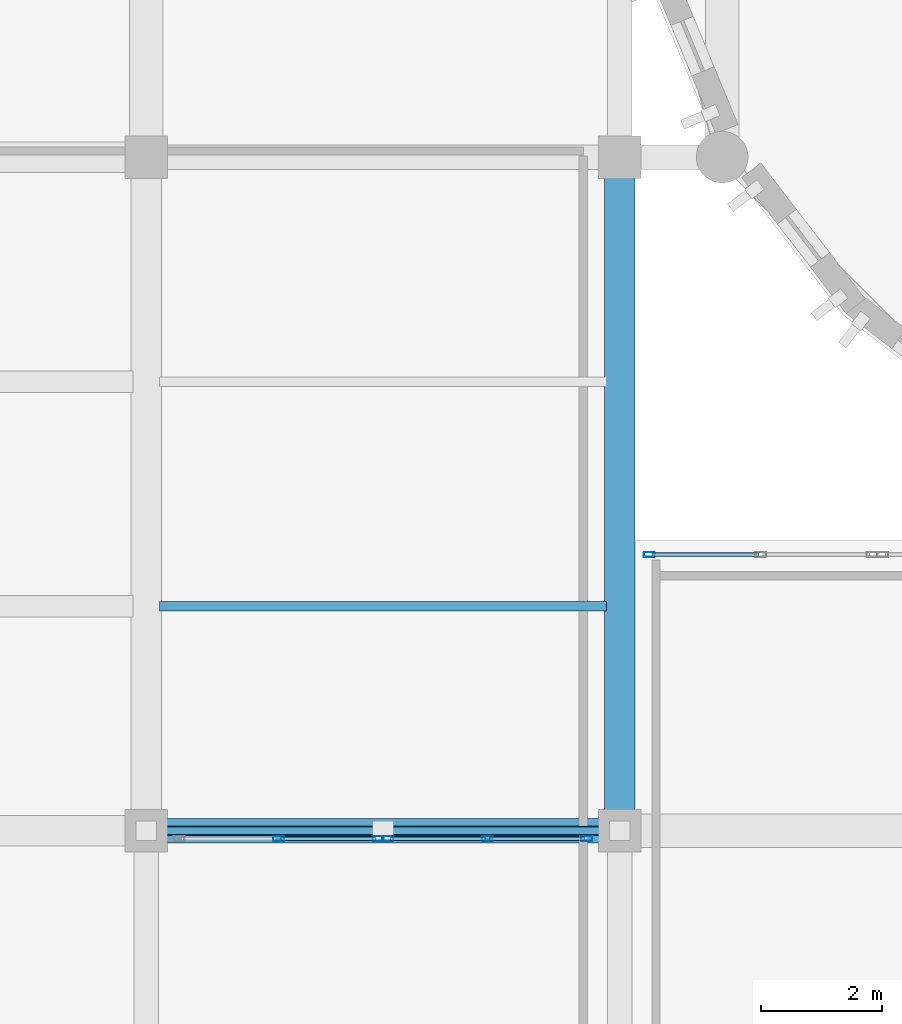
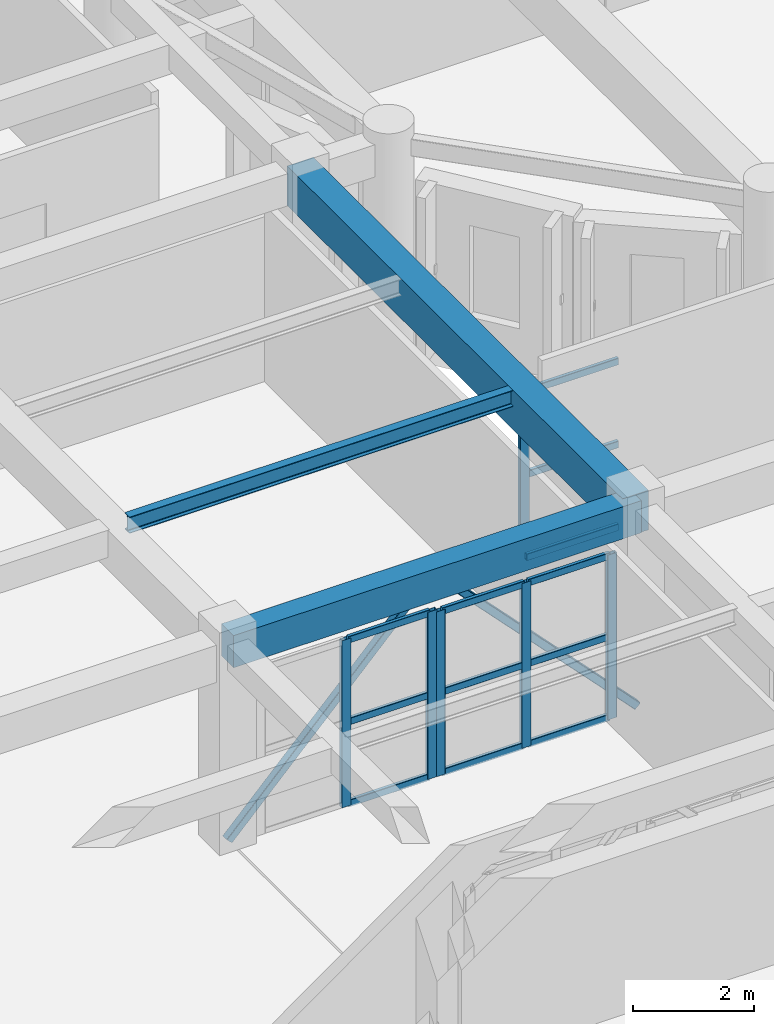
# One storey, part 27 of 92: 20 members, 3 beams, 3 elements without a shape of their own.
"""IFC4 building model written with IfcOpenShell, lengths in metres."""

from ifc_helpers import new_model, si_unit, direction, frame, origin, origin_2d, place, context, subcontext, project, spatial, rectangle, hollow_rectangle, i_section, extrude, material, layer, layer_set, material_profile, profile_set, type_object, element, aggregate, save


model = new_model("IFC4")

# Units and contexts
model_context = context("Model", 3, precision=1e-05, world=origin(), true_north=direction((0.0, 1.0)))
body_context = subcontext(model_context, "Body", "Model", "MODEL_VIEW")
ifc_project = project(units=[si_unit("LENGTHUNIT", "METRE"), si_unit("AREAUNIT", "SQUARE_METRE"), si_unit("VOLUMEUNIT", "CUBIC_METRE"), si_unit("PLANEANGLEUNIT", "RADIAN"), si_unit("MASSUNIT", "GRAM", prefix="KILO")], contexts=[model_context])

# Site, building, storey
site_placement = place(None, origin())
site = spatial("IfcSite", under=ifc_project, at=site_placement, CompositionType="ELEMENT")
building_placement = place(site_placement, origin())
building = spatial("IfcBuilding", under=site, at=building_placement, Name="Tarnavel Promenade Courthouse", CompositionType="ELEMENT")
storey_placement = place(building_placement, frame((0.0, 0.0, 5.39990234375)))
storey = spatial("IfcBuildingStorey", under=building, at=storey_placement, Name="L02", CompositionType="ELEMENT", Elevation=5.39990234375)

# Beams
ifc_material_1 = material(Name="Concrete C40/50", Category="concrete")
ifc_material_profile_1 = material_profile(ifc_material_1, rectangle(XDim=0.5, YDim=0.800048828125, at=origin_2d()), Name="PT 500x800")
ifc_profile_set_1 = profile_set([ifc_material_profile_1], Name="Concrete C40/50")
beam_type_1 = type_object("IfcBeamType", Name="Concrete C40/50 BM-PT-500x800 (PT 500x800)", PredefinedType="T_BEAM", material=ifc_profile_set_1)
beam_1_placement = place(storey_placement, frame((46.199951171875, 74.39990234375, 3.835205078125), z_axis=(0.0, 1.0, 0.0), x_axis=(-1.0, 0.0, 0.0)))
element("IfcBeam", 1, at=beam_1_placement, inside=storey, type_object=beam_type_1, Name="L02 Transverse Girder 1271", PredefinedType="T_BEAM", context=body_context, shape_type="SweptSolid", body=[
    extrude(rectangle(XDim=0.5, YDim=0.800048828125, at=origin_2d()), origin(), (0.0, 0.0, 1.0), 11.10009765625),
])
ifc_material_profile_2 = material_profile(ifc_material_1, rectangle(XDim=0.39990234375, YDim=0.64990234375, at=origin_2d()), Name="RC 400x650")
ifc_profile_set_2 = profile_set([ifc_material_profile_2], Name="Concrete C40/50")
beam_type_2 = type_object("IfcBeamType", Name="Concrete C40/50 BM-RC-400x650 (RC 400x650)", PredefinedType="BEAM", material=ifc_profile_set_2)
beam_2_placement = place(storey_placement, frame((38.39990234375, 74.39990234375, 3.91015625), z_axis=(1.0, 0.0, 0.0), x_axis=(0.0, 1.0, 0.0)))
element("IfcBeam", 2, at=beam_2_placement, inside=storey, type_object=beam_type_2, Name="L02 Primary Longitudinal Beam 1154", PredefinedType="BEAM", context=body_context, shape_type="SweptSolid", body=[
    extrude(rectangle(XDim=0.39990234375, YDim=0.64990234375, at=origin_2d()), origin(), (0.0, 0.0, 1.0), 7.800048828125),
])
ifc_material_2 = material(Name="Steel S355J2", Category="steel")
ifc_material_profile_3 = material_profile(ifc_material_2, i_section(OverallWidth=0.159912109375, OverallDepth=0.330078125, WebThickness=0.007568359375, FlangeThickness=0.011474609375, FilletRadius=0.01806640625, at=origin_2d()), Name="IPE 330")
ifc_profile_set_3 = profile_set([ifc_material_profile_3], Name="Steel S355J2")
beam_type_3 = type_object("IfcBeamType", Name="Steel S355J2 BM-ST-IPE330 (IPE 330)", PredefinedType="JOIST", material=ifc_profile_set_3)
beam_3_placement = place(storey_placement, frame((38.6201171875, 78.10009765625, 4.070068359375), z_axis=(1.0, 0.0, 0.0), x_axis=(0.0, 1.0, 0.0)))
element("IfcBeam", 3, at=beam_3_placement, inside=storey, type_object=beam_type_3, Name="L02 Secondary Floor Rib 1413", PredefinedType="JOIST", context=body_context, shape_type="SweptSolid", body=[
    extrude(i_section(OverallWidth=0.159912109375, OverallDepth=0.330078125, WebThickness=0.007568359375, FlangeThickness=0.011474609375, FilletRadius=0.01806640625, at=origin_2d()), origin(), (0.0, 0.0, 1.0), 7.35986328125),
])

# Members
ifc_material_profile_4 = material_profile(ifc_material_2, hollow_rectangle(XDim=0.14990234375, YDim=0.14990234375, WallThickness=0.010009765625, InnerFilletRadius=0.010009765625, OuterFilletRadius=0.02001953125, at=origin_2d()), Name="SHS 150x150x10")
ifc_profile_set_4 = profile_set([ifc_material_profile_4], Name="Steel S355J2")
member_type_1 = type_object("IfcMemberType", Name="Steel S355J2 MEM-BR-SHS150 (SHS 150x150x10)", PredefinedType="BRACE", material=ifc_profile_set_4)
member_1_placement = place(storey_placement, frame((38.39990234375, 74.39990234375, 0.0), z_axis=(0.692761979704, 0.0, 0.721166305006), x_axis=(0.0, 1.0, 0.0)))
element("IfcMember", 4, at=member_1_placement, inside=storey, type_object=member_type_1, Name="L02 Link Bridge BRW Truss Diagonal 1", PredefinedType="BRACE", context=body_context, shape_type="SweptSolid", body=[
    extrude(hollow_rectangle(XDim=0.14990234375, YDim=0.14990234375, WallThickness=0.010009765625, InnerFilletRadius=0.010009765625, OuterFilletRadius=0.02001953125, at=origin_2d()), origin(), (0.0, 0.0, 1.0), 5.6298828125),
])
member_2_placement = place(storey_placement, frame((42.300048828125, 74.39990234375, 4.06005859375), z_axis=(0.692739425183, 0.0, -0.721187970502), x_axis=(0.0, 1.0, 0.0)))
element("IfcMember", 5, at=member_2_placement, inside=storey, type_object=member_type_1, Name="L02 Link Bridge BRW Truss Diagonal 2", PredefinedType="BRACE", context=body_context, shape_type="SweptSolid", body=[
    extrude(hollow_rectangle(XDim=0.14990234375, YDim=0.14990234375, WallThickness=0.010009765625, InnerFilletRadius=0.010009765625, OuterFilletRadius=0.02001953125, at=origin_2d()), origin(), (0.0, 0.0, 1.0), 5.629638671875),
])

# Curtain wall, member
ifc_material_3 = material(Name="Thermally Broken Anodised Aluminium Curtain Wall System", Category="aluminium")
ifc_layer_1 = layer(ifc_material_3, 0.2099609375)
ifc_layer_set_1 = layer_set([ifc_layer_1], Name="Thermally Broken Anodised Aluminium Curtain Wall System")
curtain_wall_type_1 = type_object("IfcCurtainWallType", Name="Thermally Broken Aluminium Triple-Glazed Curtain Wall CW-WG-N", PredefinedType="NOTDEFINED", material=ifc_layer_set_1)
curtain_wall_1_placement = place(storey_placement, origin())
curtain_wall_1 = element("IfcCurtainWall", 6, at=curtain_wall_1_placement, inside=storey, type_object=curtain_wall_type_1, Name="L02 Winter-Garden North Curtain Wall 108", PredefinedType="NOTDEFINED")
ifc_material_4 = material(Name="Thermally Broken Anodised Aluminium Frame", Category="aluminium")
ifc_material_profile_5 = material_profile(ifc_material_4, hollow_rectangle(XDim=0.080078125, YDim=0.179931640625, WallThickness=0.0048828125, InnerFilletRadius=0.0048828125, OuterFilletRadius=0.010009765625, at=origin_2d()), Name="CWM 180x80x5")
ifc_profile_set_5 = profile_set([ifc_material_profile_5], Name="Thermally Broken Anodised Aluminium Frame")
member_type_2 = type_object("IfcMemberType", Name="Thermally Broken Anodised Aluminium CWM-155 (CWM 180x80x5)", PredefinedType="MULLION", material=ifc_profile_set_5)
member_3_placement = place(storey_placement, frame((46.68994140625, 78.949951171875, 0.0), z_axis=(0.0, 0.0, 1.0), x_axis=(0.0, 1.0, 0.0)))
member_3 = element("IfcMember", 7, at=member_3_placement, type_object=member_type_2, Name="CW-03 mullion 1", PredefinedType="MULLION", context=body_context, shape_type="SweptSolid", body=[
    extrude(hollow_rectangle(XDim=0.080078125, YDim=0.179931640625, WallThickness=0.0048828125, InnerFilletRadius=0.0048828125, OuterFilletRadius=0.010009765625, at=origin_2d()), origin(), (0.0, 0.0, 1.0), 3.420166015625),
])

# Curtain wall, members
ifc_layer_2 = layer(ifc_material_3, 0.18505859375)
ifc_layer_set_2 = layer_set([ifc_layer_2], Name="Thermally Broken Anodised Aluminium Curtain Wall System")
curtain_wall_type_2 = type_object("IfcCurtainWallType", Name="Thermally Broken Aluminium Triple-Glazed Curtain Wall CW-BRG", PredefinedType="NOTDEFINED", material=ifc_layer_set_2)
curtain_wall_2_placement = place(storey_placement, origin())
curtain_wall_2 = element("IfcCurtainWall", 8, at=curtain_wall_2_placement, inside=storey, type_object=curtain_wall_type_2, Name="L02 West Bridge Curtain Wall A 152", PredefinedType="NOTDEFINED")
member_4_placement = place(storey_placement, frame((40.580078125, 74.27001953125, 0.0), z_axis=(0.0, 0.0, 1.0), x_axis=(0.0, 1.0, 0.0)))
member_4 = element("IfcMember", 9, at=member_4_placement, type_object=member_type_2, Name="CW-05 mullion 2", PredefinedType="MULLION", context=body_context, shape_type="SweptSolid", body=[
    extrude(hollow_rectangle(XDim=0.080078125, YDim=0.179931640625, WallThickness=0.0048828125, InnerFilletRadius=0.0048828125, OuterFilletRadius=0.010009765625, at=origin_2d()), origin(), (0.0, 0.0, 1.0), 3.380126953125),
])
member_5_placement = place(storey_placement, frame((42.219970703125, 74.27001953125, 0.0), z_axis=(0.0, 0.0, 1.0), x_axis=(0.0, 1.0, 0.0)))
member_5 = element("IfcMember", 10, at=member_5_placement, type_object=member_type_2, Name="CW-05 mullion 3", PredefinedType="MULLION", context=body_context, shape_type="SweptSolid", body=[
    extrude(hollow_rectangle(XDim=0.080078125, YDim=0.179931640625, WallThickness=0.0048828125, InnerFilletRadius=0.0048828125, OuterFilletRadius=0.010009765625, at=origin_2d()), origin(), (0.0, 0.0, 1.0), 3.380126953125),
])

curtain_wall_3_placement = place(storey_placement, origin())
curtain_wall_3 = element("IfcCurtainWall", 11, at=curtain_wall_3_placement, inside=storey, type_object=curtain_wall_type_2, Name="L02 West Bridge Curtain Wall B 153", PredefinedType="NOTDEFINED")
member_6_placement = place(storey_placement, frame((42.3798828125, 74.27001953125, 0.0), z_axis=(0.0, 0.0, 1.0), x_axis=(0.0, 1.0, 0.0)))
member_6 = element("IfcMember", 12, at=member_6_placement, type_object=member_type_2, Name="CW-05 mullion 1", PredefinedType="MULLION", context=body_context, shape_type="SweptSolid", body=[
    extrude(hollow_rectangle(XDim=0.080078125, YDim=0.179931640625, WallThickness=0.0048828125, InnerFilletRadius=0.0048828125, OuterFilletRadius=0.010009765625, at=origin_2d()), origin(), (0.0, 0.0, 1.0), 3.330078125),
])
member_7_placement = place(storey_placement, frame((44.02001953125, 74.27001953125, 0.0), z_axis=(0.0, 0.0, 1.0), x_axis=(0.0, 1.0, 0.0)))
member_7 = element("IfcMember", 13, at=member_7_placement, type_object=member_type_2, Name="CW-05 mullion 2", PredefinedType="MULLION", context=body_context, shape_type="SweptSolid", body=[
    extrude(hollow_rectangle(XDim=0.080078125, YDim=0.179931640625, WallThickness=0.0048828125, InnerFilletRadius=0.0048828125, OuterFilletRadius=0.010009765625, at=origin_2d()), origin(), (0.0, 0.0, 1.0), 3.330078125),
])
member_8_placement = place(storey_placement, frame((45.659912109375, 74.27001953125, 0.0), z_axis=(0.0, 0.0, 1.0), x_axis=(0.0, 1.0, 0.0)))
member_8 = element("IfcMember", 14, at=member_8_placement, type_object=member_type_2, Name="CW-05 mullion 3", PredefinedType="MULLION", context=body_context, shape_type="SweptSolid", body=[
    extrude(hollow_rectangle(XDim=0.080078125, YDim=0.179931640625, WallThickness=0.0048828125, InnerFilletRadius=0.0048828125, OuterFilletRadius=0.010009765625, at=origin_2d()), origin(), (0.0, 0.0, 1.0), 3.330078125),
])

# Member
ifc_material_profile_6 = material_profile(ifc_material_4, hollow_rectangle(XDim=0.070068359375, YDim=0.139892578125, WallThickness=0.0048828125, InnerFilletRadius=0.0048828125, OuterFilletRadius=0.010009765625, at=origin_2d()), Name="CWT 140x70x5")
ifc_profile_set_6 = profile_set([ifc_material_profile_6], Name="Thermally Broken Anodised Aluminium Frame")
member_type_3 = type_object("IfcMemberType", Name="Thermally Broken Anodised Aluminium CWT-125 (CWT 140x70x5)", PredefinedType="USERDEFINED", material=ifc_profile_set_6)
member_9_placement = place(storey_placement, frame((46.72998046875, 78.949951171875, 0.03515625), z_axis=(1.0, 0.0, 0.0), x_axis=(0.0, 1.0, 0.0)))
member_9 = element("IfcMember", 15, at=member_9_placement, type_object=member_type_3, Name="CW-03 transom 1.1", ObjectType="TRANSOM", PredefinedType="USERDEFINED", context=body_context, shape_type="SweptSolid", body=[
    extrude(hollow_rectangle(XDim=0.070068359375, YDim=0.139892578125, WallThickness=0.0048828125, InnerFilletRadius=0.0048828125, OuterFilletRadius=0.010009765625, at=origin_2d()), origin(), (0.0, 0.0, 1.0), 1.755126953125),
])

member_10_placement = place(storey_placement, frame((46.72998046875, 78.949951171875, 1.710205078125), z_axis=(1.0, 0.0, 0.0), x_axis=(0.0, 1.0, 0.0)))
member_10 = element("IfcMember", 16, at=member_10_placement, type_object=member_type_3, Name="CW-03 transom 1.2", ObjectType="TRANSOM", PredefinedType="USERDEFINED", context=body_context, shape_type="SweptSolid", body=[
    extrude(hollow_rectangle(XDim=0.070068359375, YDim=0.139892578125, WallThickness=0.0048828125, InnerFilletRadius=0.0048828125, OuterFilletRadius=0.010009765625, at=origin_2d()), origin(), (0.0, 0.0, 1.0), 1.755126953125),
])

member_11_placement = place(storey_placement, frame((46.72998046875, 78.949951171875, 3.385009765625), z_axis=(1.0, 0.0, 0.0), x_axis=(0.0, 1.0, 0.0)))
member_11 = element("IfcMember", 17, at=member_11_placement, type_object=member_type_3, Name="CW-03 transom 1.3", ObjectType="TRANSOM", PredefinedType="USERDEFINED", context=body_context, shape_type="SweptSolid", body=[
    extrude(hollow_rectangle(XDim=0.070068359375, YDim=0.139892578125, WallThickness=0.0048828125, InnerFilletRadius=0.0048828125, OuterFilletRadius=0.010009765625, at=origin_2d()), origin(), (0.0, 0.0, 1.0), 1.755126953125),
])

aggregate(curtain_wall_1, [member_3, member_9, member_10, member_11])

member_12_placement = place(storey_placement, frame((40.6201171875, 74.27001953125, 0.03515625), z_axis=(1.0, 0.0, 0.0), x_axis=(0.0, 1.0, 0.0)))
member_12 = element("IfcMember", 18, at=member_12_placement, type_object=member_type_3, Name="CW-05 transom 2.1", ObjectType="TRANSOM", PredefinedType="USERDEFINED", context=body_context, shape_type="SweptSolid", body=[
    extrude(hollow_rectangle(XDim=0.070068359375, YDim=0.139892578125, WallThickness=0.0048828125, InnerFilletRadius=0.0048828125, OuterFilletRadius=0.010009765625, at=origin_2d()), origin(), (0.0, 0.0, 1.0), 1.559814453125),
])

member_13_placement = place(storey_placement, frame((40.6201171875, 74.27001953125, 1.690185546875), z_axis=(1.0, 0.0, 0.0), x_axis=(0.0, 1.0, 0.0)))
member_13 = element("IfcMember", 19, at=member_13_placement, type_object=member_type_3, Name="CW-05 transom 2.2", ObjectType="TRANSOM", PredefinedType="USERDEFINED", context=body_context, shape_type="SweptSolid", body=[
    extrude(hollow_rectangle(XDim=0.070068359375, YDim=0.139892578125, WallThickness=0.0048828125, InnerFilletRadius=0.0048828125, OuterFilletRadius=0.010009765625, at=origin_2d()), origin(), (0.0, 0.0, 1.0), 1.559814453125),
])

member_14_placement = place(storey_placement, frame((40.6201171875, 74.27001953125, 3.34521484375), z_axis=(1.0, 0.0, 0.0), x_axis=(0.0, 1.0, 0.0)))
member_14 = element("IfcMember", 20, at=member_14_placement, type_object=member_type_3, Name="CW-05 transom 2.3", ObjectType="TRANSOM", PredefinedType="USERDEFINED", context=body_context, shape_type="SweptSolid", body=[
    extrude(hollow_rectangle(XDim=0.070068359375, YDim=0.139892578125, WallThickness=0.0048828125, InnerFilletRadius=0.0048828125, OuterFilletRadius=0.010009765625, at=origin_2d()), origin(), (0.0, 0.0, 1.0), 1.559814453125),
])

aggregate(curtain_wall_2, [member_4, member_5, member_12, member_13, member_14])

member_15_placement = place(storey_placement, frame((42.419921875, 74.27001953125, 0.03515625), z_axis=(1.0, 0.0, 0.0), x_axis=(0.0, 1.0, 0.0)))
member_15 = element("IfcMember", 21, at=member_15_placement, type_object=member_type_3, Name="CW-05 transom 1.1", ObjectType="TRANSOM", PredefinedType="USERDEFINED", context=body_context, shape_type="SweptSolid", body=[
    extrude(hollow_rectangle(XDim=0.070068359375, YDim=0.139892578125, WallThickness=0.0048828125, InnerFilletRadius=0.0048828125, OuterFilletRadius=0.010009765625, at=origin_2d()), origin(), (0.0, 0.0, 1.0), 1.56005859375),
])

member_16_placement = place(storey_placement, frame((42.419921875, 74.27001953125, 1.6650390625), z_axis=(1.0, 0.0, 0.0), x_axis=(0.0, 1.0, 0.0)))
member_16 = element("IfcMember", 22, at=member_16_placement, type_object=member_type_3, Name="CW-05 transom 1.2", ObjectType="TRANSOM", PredefinedType="USERDEFINED", context=body_context, shape_type="SweptSolid", body=[
    extrude(hollow_rectangle(XDim=0.070068359375, YDim=0.139892578125, WallThickness=0.0048828125, InnerFilletRadius=0.0048828125, OuterFilletRadius=0.010009765625, at=origin_2d()), origin(), (0.0, 0.0, 1.0), 1.56005859375),
])

member_17_placement = place(storey_placement, frame((42.419921875, 74.27001953125, 3.295166015625), z_axis=(1.0, 0.0, 0.0), x_axis=(0.0, 1.0, 0.0)))
member_17 = element("IfcMember", 23, at=member_17_placement, type_object=member_type_3, Name="CW-05 transom 1.3", ObjectType="TRANSOM", PredefinedType="USERDEFINED", context=body_context, shape_type="SweptSolid", body=[
    extrude(hollow_rectangle(XDim=0.070068359375, YDim=0.139892578125, WallThickness=0.0048828125, InnerFilletRadius=0.0048828125, OuterFilletRadius=0.010009765625, at=origin_2d()), origin(), (0.0, 0.0, 1.0), 1.56005859375),
])

member_18_placement = place(storey_placement, frame((44.06005859375, 74.27001953125, 0.03515625), z_axis=(1.0, 0.0, 0.0), x_axis=(0.0, 1.0, 0.0)))
member_18 = element("IfcMember", 24, at=member_18_placement, type_object=member_type_3, Name="CW-05 transom 2.1", ObjectType="TRANSOM", PredefinedType="USERDEFINED", context=body_context, shape_type="SweptSolid", body=[
    extrude(hollow_rectangle(XDim=0.070068359375, YDim=0.139892578125, WallThickness=0.0048828125, InnerFilletRadius=0.0048828125, OuterFilletRadius=0.010009765625, at=origin_2d()), origin(), (0.0, 0.0, 1.0), 1.56005859375),
])

member_19_placement = place(storey_placement, frame((44.06005859375, 74.27001953125, 1.6650390625), z_axis=(1.0, 0.0, 0.0), x_axis=(0.0, 1.0, 0.0)))
member_19 = element("IfcMember", 25, at=member_19_placement, type_object=member_type_3, Name="CW-05 transom 2.2", ObjectType="TRANSOM", PredefinedType="USERDEFINED", context=body_context, shape_type="SweptSolid", body=[
    extrude(hollow_rectangle(XDim=0.070068359375, YDim=0.139892578125, WallThickness=0.0048828125, InnerFilletRadius=0.0048828125, OuterFilletRadius=0.010009765625, at=origin_2d()), origin(), (0.0, 0.0, 1.0), 1.56005859375),
])

member_20_placement = place(storey_placement, frame((44.06005859375, 74.27001953125, 3.295166015625), z_axis=(1.0, 0.0, 0.0), x_axis=(0.0, 1.0, 0.0)))
member_20 = element("IfcMember", 26, at=member_20_placement, type_object=member_type_3, Name="CW-05 transom 2.3", ObjectType="TRANSOM", PredefinedType="USERDEFINED", context=body_context, shape_type="SweptSolid", body=[
    extrude(hollow_rectangle(XDim=0.070068359375, YDim=0.139892578125, WallThickness=0.0048828125, InnerFilletRadius=0.0048828125, OuterFilletRadius=0.010009765625, at=origin_2d()), origin(), (0.0, 0.0, 1.0), 1.56005859375),
])

aggregate(curtain_wall_3, [member_6, member_7, member_8, member_15, member_16, member_17, member_18, member_19, member_20])

save(model, "model.ifc")
